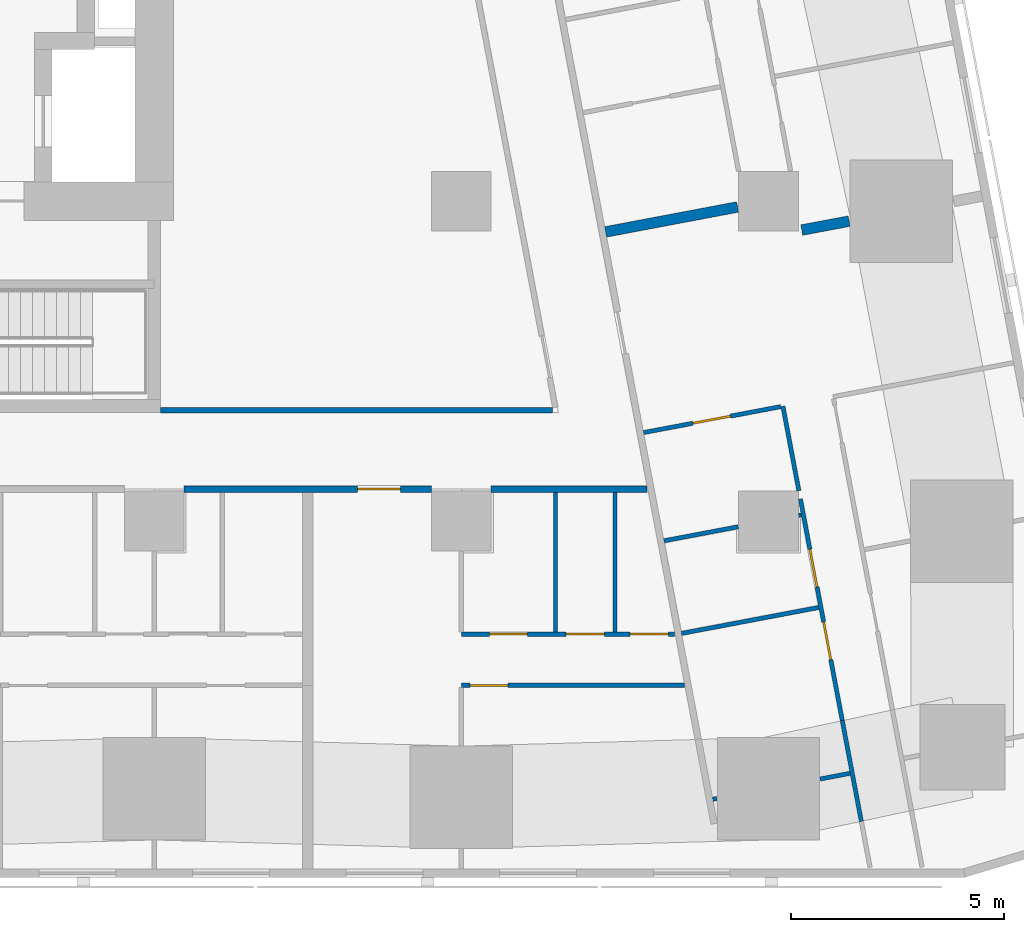
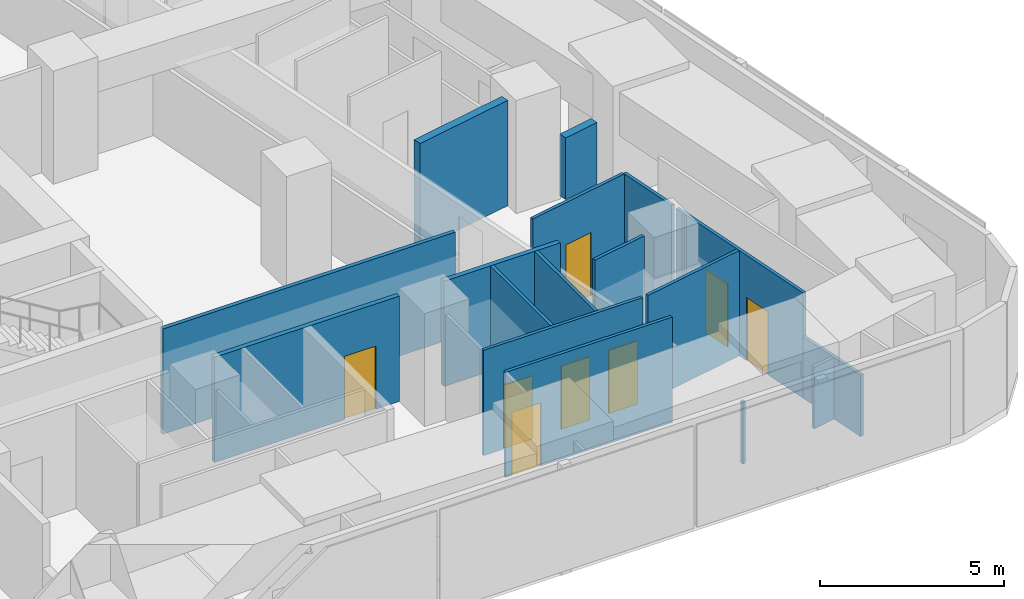
# One storey, part 3 of 10: 18 walls, 8 doors, 8 openings.
"""IFC4 building model written with IfcOpenShell, lengths in metres."""

from ifc_helpers import new_model, si_unit, direction, frame, frame_2d, origin, place, context, subcontext, project, spatial, rectangle, extrude, material, layer, layer_set, type_object, element, fill, save


model = new_model("IFC4")

# Units and contexts
model_context = context("Model", 3, precision=1e-05, world=origin(), true_north=direction((0.0, 1.0)))
body_context = subcontext(model_context, "Body", "Model", "MODEL_VIEW")
ifc_project = project(units=[si_unit("LENGTHUNIT", "METRE"), si_unit("AREAUNIT", "SQUARE_METRE"), si_unit("VOLUMEUNIT", "CUBIC_METRE"), si_unit("PLANEANGLEUNIT", "RADIAN"), si_unit("MASSUNIT", "GRAM", prefix="KILO")], contexts=[model_context])

# Site, building, storey
site_placement = place(None, origin())
site = spatial("IfcSite", under=ifc_project, at=site_placement, CompositionType="ELEMENT")
building_placement = place(site_placement, origin())
building = spatial("IfcBuilding", under=site, at=building_placement, Name="Sheger Commons Tower", CompositionType="ELEMENT")
storey_placement = place(building_placement, frame((0.0, 0.0, 238.699951171875)))
storey = spatial("IfcBuildingStorey", under=building, at=storey_placement, Name="L61", CompositionType="ELEMENT", Elevation=238.699951171875)

# Wall
ifc_material_1 = material(Name="Hollow concrete block masonry, skimmed both sides", Category="masonry")
ifc_layer_1 = layer(ifc_material_1, 0.14990234375)
ifc_layer_set_1 = layer_set([ifc_layer_1], Name="CORRIDOR WALL 150")
wall_type_1 = type_object("IfcWallType", Name="CORRIDOR WALL 150", PredefinedType="SOLIDWALL", material=ifc_layer_set_1)
wall_1_placement = place(storey_placement, frame((40.35498046875, 8.25, 0.0), z_axis=(0.0, 0.0, 1.0), x_axis=(-1.0, 0.0, 0.0)))
element("IfcWall", 1, at=wall_1_placement, inside=storey, type_object=wall_type_1, Name="Corridor wall L61", PredefinedType="SOLIDWALL", context=body_context, shape_type="SweptSolid", body=[
    extrude(rectangle(XDim=3.654052734375, YDim=0.14990234375, at=frame_2d((1.8271484375, 0.0))), origin(), (0.0, 0.0, 1.0), 3.5),
])

# Wall, opening, door
wall_2_placement = place(storey_placement, frame((35.299072265625, 8.25, 0.0), z_axis=(0.0, 0.0, 1.0), x_axis=(-1.0, 0.0, 0.0)))
wall_2 = element("IfcWall", 2, at=wall_2_placement, inside=storey, type_object=wall_type_1, Name="Corridor wall L61", PredefinedType="SOLIDWALL", context=body_context, shape_type="SweptSolid", body=[
    extrude(rectangle(XDim=5.798095703125, YDim=0.14990234375, at=frame_2d((2.89892578125, 0.0))), origin(), (0.0, 0.0, 1.0), 3.5),
])
opening_1_placement = place(wall_2_placement, frame((0.72802734375, 0.0, 0.0)))
opening_1 = element("IfcOpeningElement", 3, at=opening_1_placement, cuts=wall_2, Name="Opening D1", PredefinedType="OPENING", context=body_context, shape_type="SweptSolid", body=[
    extrude(rectangle(XDim=1.0, YDim=2.10009765625, at=frame_2d((0.5, 1.050048828125))), frame((0.0, 0.0849609375, 0.0), z_axis=(0.0, -1.0, 0.0), x_axis=(1.0, 0.0, 0.0)), (0.0, 0.0, 1.0), 0.169921875),
])
ifc_material_2 = material(Name="Steel door set, fire rated", Category="steel")
door_type_1 = type_object("IfcDoorType", Name="FLAT ENTRANCE DOOR 1000x2100", OperationType="NOTDEFINED", PredefinedType="DOOR", material=ifc_material_2)
door_1_placement = place(opening_1_placement, origin())
door_1 = element("IfcDoor", 4, at=door_1_placement, inside=storey, type_object=door_type_1, Name="Flat entrance door", OperationType="SINGLE_SWING_LEFT", OverallHeight=2.10009765625, OverallWidth=1.0, PredefinedType="DOOR", context=body_context, shape_type="SweptSolid", body=[
    extrude(rectangle(XDim=1.0, YDim=2.10009765625, at=frame_2d((0.5, 1.050048828125))), frame((0.0, 0.02490234375, 0.0), z_axis=(0.0, -1.0, 0.0), x_axis=(1.0, 0.0, 0.0)), (0.0, 0.0, 1.0), 0.050048828125),
])
fill(opening_1, door_1)

# Walls
ifc_material_3 = material(Name="Dense concrete block masonry, plastered both sides (separating wall between flats)", Category="masonry")
ifc_layer_2 = layer(ifc_material_3, 0.25)
ifc_layer_set_2 = layer_set([ifc_layer_2], Name="DEMISING WALL 250")
wall_type_2 = type_object("IfcWallType", Name="DEMISING WALL 250", PredefinedType="SOLIDWALL", material=ifc_layer_set_2)
wall_3_placement = place(storey_placement, frame((45.090087890625, 14.531005859375, 0.0), z_axis=(0.0, 0.0, 1.0), x_axis=(-0.982737354171, -0.185006196431, 0.0)))
element("IfcWall", 5, at=wall_3_placement, inside=storey, type_object=wall_type_2, Name="Demising wall L61", PredefinedType="SOLIDWALL", context=body_context, shape_type="SweptSolid", body=[
    extrude(rectangle(XDim=1.129638671875, YDim=0.25, at=frame_2d((0.56494140625, 0.0))), origin(), (0.0, 0.0, 1.0), 2.050048828125),
])
wall_4_placement = place(storey_placement, frame((42.47607421875, 14.863037109375, 0.0), z_axis=(0.0, 0.0, 1.0), x_axis=(-0.982638716117, -0.185529387398, 0.0)))
element("IfcWall", 6, at=wall_4_placement, inside=storey, type_object=wall_type_2, Name="Demising wall L61", PredefinedType="SOLIDWALL", context=body_context, shape_type="SweptSolid", body=[
    extrude(rectangle(XDim=3.147705078125, YDim=0.25, at=frame_2d((1.57373046875, 0.0))), origin(), (0.0, 0.0, 1.0), 3.5),
])

# Wall, opening, door
ifc_material_4 = material(Name="Gypsum board on steel studs", Category="steel")
ifc_layer_3 = layer(ifc_material_4, 0.10009765625)
ifc_layer_set_3 = layer_set([ifc_layer_3], Name="PARTITION 100")
wall_type_3 = type_object("IfcWallType", Name="PARTITION 100", PredefinedType="PARTITIONING", material=ifc_layer_set_3)
wall_5_placement = place(storey_placement, frame((41.22900390625, 3.64990234375, 0.0), z_axis=(0.0, 0.0, 1.0), x_axis=(-1.0, 0.0, 0.0)))
wall_5 = element("IfcWall", 7, at=wall_5_placement, inside=storey, type_object=wall_type_3, Name="Partition L61", PredefinedType="PARTITIONING", context=body_context, shape_type="SweptSolid", body=[
    extrude(rectangle(XDim=5.22900390625, YDim=0.10009765625, at=frame_2d((2.614501953125, 0.0))), origin(), (0.0, 0.0, 1.0), 3.5),
])
opening_2_placement = place(wall_5_placement, frame((4.12890625, 0.0, 0.0)))
opening_2 = element("IfcOpeningElement", 8, at=opening_2_placement, cuts=wall_5, Name="Opening D2", PredefinedType="OPENING", context=body_context, shape_type="SweptSolid", body=[
    extrude(rectangle(XDim=0.89990234375, YDim=2.10009765625, at=frame_2d((0.449951171875, 1.050048828125))), frame((0.0, 0.06005859375, 0.0), z_axis=(0.0, -1.0, 0.0), x_axis=(1.0, 0.0, 0.0)), (0.0, 0.0, 1.0), 0.1201171875),
])
ifc_material_5 = material(Name="Timber door set", Category="wood")
door_type_2 = type_object("IfcDoorType", Name="INTERNAL DOOR 900x2100", OperationType="NOTDEFINED", PredefinedType="DOOR", material=ifc_material_5)
door_2_placement = place(opening_2_placement, origin())
door_2 = element("IfcDoor", 9, at=door_2_placement, inside=storey, type_object=door_type_2, Name="Main bedroom door", OperationType="SINGLE_SWING_LEFT", OverallHeight=2.10009765625, OverallWidth=0.89990234375, PredefinedType="DOOR", context=body_context, shape_type="SweptSolid", body=[
    extrude(rectangle(XDim=0.89990234375, YDim=2.10009765625, at=frame_2d((0.449951171875, 1.050048828125))), frame((0.0, 0.02490234375, 0.0), z_axis=(0.0, -1.0, 0.0), x_axis=(1.0, 0.0, 0.0)), (0.0, 0.0, 1.0), 0.050048828125),
])
fill(opening_2, door_2)

# Wall, openings, doors
wall_6_placement = place(storey_placement, frame((41.001953125, 4.85009765625, 0.0), z_axis=(0.0, 0.0, 1.0), x_axis=(-1.0, 0.0, 0.0)))
wall_6 = element("IfcWall", 10, at=wall_6_placement, inside=storey, type_object=wall_type_3, Name="Partition L61", PredefinedType="PARTITIONING", context=body_context, shape_type="SweptSolid", body=[
    extrude(rectangle(XDim=5.001953125, YDim=0.10009765625, at=frame_2d((2.5009765625, 0.0))), origin(), (0.0, 0.0, 1.0), 3.5),
])
opening_3_placement = place(wall_6_placement, frame((3.447021484375, 0.0, 0.0)))
opening_3 = element("IfcOpeningElement", 11, at=opening_3_placement, cuts=wall_6, Name="Opening D2", PredefinedType="OPENING", context=body_context, shape_type="SweptSolid", body=[
    extrude(rectangle(XDim=0.89990234375, YDim=2.10009765625, at=frame_2d((0.449951171875, 1.050048828125))), frame((0.0, 0.06005859375, 0.0), z_axis=(0.0, -1.0, 0.0), x_axis=(1.0, 0.0, 0.0)), (0.0, 0.0, 1.0), 0.1201171875),
])
opening_4_placement = place(wall_6_placement, frame((0.14990234375, 0.0, 0.0)))
opening_4 = element("IfcOpeningElement", 12, at=opening_4_placement, cuts=wall_6, Name="Opening D2", PredefinedType="OPENING", context=body_context, shape_type="SweptSolid", body=[
    extrude(rectangle(XDim=0.89990234375, YDim=2.10009765625, at=frame_2d((0.449951171875, 1.050048828125))), frame((0.0, 0.06005859375, 0.0), z_axis=(0.0, -1.0, 0.0), x_axis=(1.0, 0.0, 0.0)), (0.0, 0.0, 1.0), 0.1201171875),
])
opening_5_placement = place(wall_6_placement, frame((1.64697265625, 0.0, 0.0)))
opening_5 = element("IfcOpeningElement", 13, at=opening_5_placement, cuts=wall_6, Name="Opening D2", PredefinedType="OPENING", context=body_context, shape_type="SweptSolid", body=[
    extrude(rectangle(XDim=0.89990234375, YDim=2.10009765625, at=frame_2d((0.449951171875, 1.050048828125))), frame((0.0, 0.06005859375, 0.0), z_axis=(0.0, -1.0, 0.0), x_axis=(1.0, 0.0, 0.0)), (0.0, 0.0, 1.0), 0.1201171875),
])
door_3_placement = place(opening_3_placement, origin())
door_3 = element("IfcDoor", 14, at=door_3_placement, inside=storey, type_object=door_type_2, Name="Bathroom door", OperationType="SINGLE_SWING_LEFT", OverallHeight=2.10009765625, OverallWidth=0.89990234375, PredefinedType="DOOR", context=body_context, shape_type="SweptSolid", body=[
    extrude(rectangle(XDim=0.89990234375, YDim=2.10009765625, at=frame_2d((0.449951171875, 1.050048828125))), frame((0.0, 0.02490234375, 0.0), z_axis=(0.0, -1.0, 0.0), x_axis=(1.0, 0.0, 0.0)), (0.0, 0.0, 1.0), 0.050048828125),
])
fill(opening_3, door_3)
door_4_placement = place(opening_4_placement, origin())
door_4 = element("IfcDoor", 15, at=door_4_placement, inside=storey, type_object=door_type_2, Name="Laundry room door", OperationType="SINGLE_SWING_RIGHT", OverallHeight=2.10009765625, OverallWidth=0.89990234375, PredefinedType="DOOR", context=body_context, shape_type="SweptSolid", body=[
    extrude(rectangle(XDim=0.89990234375, YDim=2.10009765625, at=frame_2d((0.449951171875, 1.050048828125))), frame((0.0, 0.02490234375, 0.0), z_axis=(0.0, -1.0, 0.0), x_axis=(1.0, 0.0, 0.0)), (0.0, 0.0, 1.0), 0.050048828125),
])
fill(opening_4, door_4)
door_5_placement = place(opening_5_placement, origin())
door_5 = element("IfcDoor", 16, at=door_5_placement, inside=storey, type_object=door_type_2, Name="Store door", OperationType="SINGLE_SWING_LEFT", OverallHeight=2.10009765625, OverallWidth=0.89990234375, PredefinedType="DOOR", context=body_context, shape_type="SweptSolid", body=[
    extrude(rectangle(XDim=0.89990234375, YDim=2.10009765625, at=frame_2d((0.449951171875, 1.050048828125))), frame((0.0, 0.02490234375, 0.0), z_axis=(0.0, -1.0, 0.0), x_axis=(1.0, 0.0, 0.0)), (0.0, 0.0, 1.0), 0.050048828125),
])
fill(opening_5, door_5)

# Walls
for number, where, z_axis, x_axis, name in (
    (17, (39.60009765625, 4.89990234375, 0.0), (0.0, 0.0, 1.0), (0.0, 1.0, 0.0), "Partition L61"),
    (18, (38.2099609375, 4.89990234375, 0.0), (0.0, 0.0, 1.0), (0.0, 1.0, 0.0), "Partition L61"),
):
    element("IfcWall", number, at=place(storey_placement, frame(where, z_axis=z_axis, x_axis=x_axis)), inside=storey, type_object=wall_type_3, Name=name, PredefinedType="PARTITIONING", context=body_context, shape_type="SweptSolid", body=[
        extrude(rectangle(XDim=3.275146484375, YDim=0.10009765625, at=frame_2d((1.6376953125, 0.0))), origin(), (0.0, 0.0, 1.0), 3.5),
    ])
wall_7_placement = place(storey_placement, frame((43.5390625, 10.19189453125, 0.0), z_axis=(0.0, 0.0, 1.0), x_axis=(0.185443145218, -0.982654995353, 0.0)))
element("IfcWall", 19, at=wall_7_placement, inside=storey, type_object=wall_type_3, Name="Partition L61", PredefinedType="PARTITIONING", context=body_context, shape_type="SweptSolid", body=[
    extrude(rectangle(XDim=2.016845703125, YDim=0.10009765625, at=frame_2d((1.00830078125, 0.0))), origin(), (0.0, 0.0, 1.0), 3.5),
])

# Wall, openings, doors
wall_8_placement = place(storey_placement, frame((43.948974609375, 8.02001953125, 0.0), z_axis=(0.0, 0.0, 1.0), x_axis=(0.185656792073, -0.982614652627, 0.0)))
wall_8 = element("IfcWall", 20, at=wall_8_placement, inside=storey, type_object=wall_type_3, Name="Partition L61", PredefinedType="PARTITIONING", context=body_context, shape_type="SweptSolid", body=[
    extrude(rectangle(XDim=5.2890625, YDim=0.10009765625, at=frame_2d((2.64453125, 0.0))), origin(), (0.0, 0.0, 1.0), 3.5),
])
opening_6_placement = place(wall_8_placement, frame((1.199951171875, 0.0, 0.0)))
opening_6 = element("IfcOpeningElement", 21, at=opening_6_placement, cuts=wall_8, Name="Opening D2", PredefinedType="OPENING", context=body_context, shape_type="SweptSolid", body=[
    extrude(rectangle(XDim=0.89990234375, YDim=2.10009765625, at=frame_2d((0.449951171875, 1.050048828125))), frame((0.0, 0.06005859375, 0.0), z_axis=(0.0, -1.0, 0.0), x_axis=(1.0, 0.0, 0.0)), (0.0, 0.0, 1.0), 0.1201171875),
])
opening_7_placement = place(wall_8_placement, frame((2.93505859375, 0.0, 0.0)))
opening_7 = element("IfcOpeningElement", 22, at=opening_7_placement, cuts=wall_8, Name="Opening D2", PredefinedType="OPENING", context=body_context, shape_type="SweptSolid", body=[
    extrude(rectangle(XDim=0.89990234375, YDim=2.10009765625, at=frame_2d((0.449951171875, 1.050048828125))), frame((0.0, 0.06005859375, 0.0), z_axis=(0.0, -1.0, 0.0), x_axis=(1.0, 0.0, 0.0)), (0.0, 0.0, 1.0), 0.1201171875),
])
door_6_placement = place(opening_6_placement, origin())
door_6 = element("IfcDoor", 23, at=door_6_placement, inside=storey, type_object=door_type_2, Name="Bathroom door", OperationType="SINGLE_SWING_LEFT", OverallHeight=2.10009765625, OverallWidth=0.89990234375, PredefinedType="DOOR", context=body_context, shape_type="SweptSolid", body=[
    extrude(rectangle(XDim=0.89990234375, YDim=2.10009765625, at=frame_2d((0.449951171875, 1.050048828125))), frame((0.0, 0.02490234375, 0.0), z_axis=(0.0, -1.0, 0.0), x_axis=(1.0, 0.0, 0.0)), (0.0, 0.0, 1.0), 0.050048828125),
])
fill(opening_6, door_6)
door_7_placement = place(opening_7_placement, origin())
door_7 = element("IfcDoor", 24, at=door_7_placement, inside=storey, type_object=door_type_2, Name="Store door", OperationType="SINGLE_SWING_RIGHT", OverallHeight=2.10009765625, OverallWidth=0.89990234375, PredefinedType="DOOR", context=body_context, shape_type="SweptSolid", body=[
    extrude(rectangle(XDim=0.89990234375, YDim=2.10009765625, at=frame_2d((0.449951171875, 1.050048828125))), frame((0.0, 0.02490234375, 0.0), z_axis=(0.0, -1.0, 0.0), x_axis=(1.0, 0.0, 0.0)), (0.0, 0.0, 1.0), 0.050048828125),
])
fill(opening_7, door_7)

# Wall
wall_9_placement = place(storey_placement, frame((44.930908203125, 2.822998046875, 0.0), z_axis=(0.0, 0.0, 1.0), x_axis=(0.185631845838, -0.982619365681, 0.0)))
element("IfcWall", 25, at=wall_9_placement, inside=storey, type_object=wall_type_3, Name="Partition L61", PredefinedType="PARTITIONING", context=body_context, shape_type="SweptSolid", body=[
    extrude(rectangle(XDim=2.40283203125, YDim=0.10009765625, at=frame_2d((1.201416015625, 0.0))), origin(), (0.0, 0.0, 1.0), 2.050048828125),
])

# Wall, opening, door
wall_10_placement = place(storey_placement, frame((43.489990234375, 10.18310546875, 0.0), z_axis=(0.0, 0.0, 1.0), x_axis=(-0.982607026909, -0.185697147715, 0.0)))
wall_10 = element("IfcWall", 26, at=wall_10_placement, inside=storey, type_object=wall_type_3, Name="Partition L61", PredefinedType="PARTITIONING", context=body_context, shape_type="SweptSolid", body=[
    extrude(rectangle(XDim=3.27490234375, YDim=0.10009765625, at=frame_2d((1.637451171875, 0.0))), origin(), (0.0, 0.0, 1.0), 3.5),
])
opening_8_placement = place(wall_10_placement, frame((1.199951171875, 0.0, 0.0)))
opening_8 = element("IfcOpeningElement", 27, at=opening_8_placement, cuts=wall_10, Name="Opening D2", PredefinedType="OPENING", context=body_context, shape_type="SweptSolid", body=[
    extrude(rectangle(XDim=0.89990234375, YDim=2.10009765625, at=frame_2d((0.449951171875, 1.050048828125))), frame((0.0, 0.06005859375, 0.0), z_axis=(0.0, -1.0, 0.0), x_axis=(1.0, 0.0, 0.0)), (0.0, 0.0, 1.0), 0.1201171875),
])
door_8_placement = place(opening_8_placement, origin())
door_8 = element("IfcDoor", 28, at=door_8_placement, inside=storey, type_object=door_type_2, Name="Store door", OperationType="SINGLE_SWING_RIGHT", OverallHeight=2.10009765625, OverallWidth=0.89990234375, PredefinedType="DOOR", context=body_context, shape_type="SweptSolid", body=[
    extrude(rectangle(XDim=0.89990234375, YDim=2.10009765625, at=frame_2d((0.449951171875, 1.050048828125))), frame((0.0, 0.02490234375, 0.0), z_axis=(0.0, -1.0, 0.0), x_axis=(1.0, 0.0, 0.0)), (0.0, 0.0, 1.0), 0.050048828125),
])
fill(opening_8, door_8)

# Walls
wall_11_placement = place(storey_placement, frame((43.968994140625, 7.64599609375, 0.0), z_axis=(0.0, 0.0, 1.0), x_axis=(-0.983147034646, -0.182816597351, 0.0)))
element("IfcWall", 29, at=wall_11_placement, inside=storey, type_object=wall_type_3, Name="Partition L61", PredefinedType="PARTITIONING", context=body_context, shape_type="SweptSolid", body=[
    extrude(rectangle(XDim=0.06005859375, YDim=0.10009765625, at=frame_2d((0.030029296875, 0.0))), origin(), (0.0, 0.0, 1.0), 3.5),
])
wall_12_placement = place(storey_placement, frame((42.489990234375, 7.366943359375, 0.0), z_axis=(0.0, 0.0, 1.0), x_axis=(-0.982585223885, -0.185812480215, 0.0)))
element("IfcWall", 30, at=wall_12_placement, inside=storey, type_object=wall_type_3, Name="Partition L61", PredefinedType="PARTITIONING", context=body_context, shape_type="SweptSolid", body=[
    extrude(rectangle(XDim=1.769775390625, YDim=0.10009765625, at=frame_2d((0.884765625, 0.0))), origin(), (0.0, 0.0, 1.0), 3.5),
])
wall_13_placement = place(storey_placement, frame((45.114013671875, 1.5869140625, 0.0), z_axis=(0.0, 0.0, 1.0), x_axis=(-0.982671022916, -0.185358195723, 0.0)))
element("IfcWall", 31, at=wall_13_placement, inside=storey, type_object=wall_type_3, Name="Partition L61", PredefinedType="PARTITIONING", context=body_context, shape_type="SweptSolid", body=[
    extrude(rectangle(XDim=0.716552734375, YDim=0.10009765625, at=frame_2d((0.3583984375, 0.0))), origin(), (0.0, 0.0, 1.0), 2.050048828125),
])
wall_14_placement = place(storey_placement, frame((41.989990234375, 0.9970703125, 0.0), z_axis=(0.0, 0.0, 1.0), x_axis=(-0.982382747416, -0.186880008506, 0.0)))
element("IfcWall", 32, at=wall_14_placement, inside=storey, type_object=wall_type_3, Name="Partition L61", PredefinedType="PARTITIONING", context=body_context, shape_type="SweptSolid", body=[
    extrude(rectangle(XDim=0.0966796875, YDim=0.10009765625, at=frame_2d((0.04833984375, 0.0))), origin(), (0.0, 0.0, 1.0), 2.050048828125),
])
wall_15_placement = place(storey_placement, frame((44.37890625, 5.47412109375, 0.0), z_axis=(0.0, 0.0, 1.0), x_axis=(-0.982607026909, -0.185697147715, 0.0)))
element("IfcWall", 33, at=wall_15_placement, inside=storey, type_object=wall_type_3, Name="Partition L61", PredefinedType="PARTITIONING", context=body_context, shape_type="SweptSolid", body=[
    extrude(rectangle(XDim=3.27490234375, YDim=0.10009765625, at=frame_2d((1.637451171875, 0.0))), origin(), (0.0, 0.0, 1.0), 3.5),
])
ifc_material_6 = material(Name="Gypsum board on steel studs, two layers each side, fire rated", Category="steel")
ifc_layer_4 = layer(ifc_material_6, 0.125)
ifc_layer_set_4 = layer_set([ifc_layer_4], Name="SERVICE WALL 125")
wall_type_4 = type_object("IfcWallType", Name="SERVICE WALL 125", PredefinedType="PARTITIONING", material=ifc_layer_set_4)
wall_16_placement = place(storey_placement, frame((28.949951171875, 10.10009765625, 0.0), z_axis=(0.0, 0.0, 1.0), x_axis=(1.0, 0.0, 0.0)))
element("IfcWall", 34, at=wall_16_placement, inside=storey, type_object=wall_type_4, Name="Service room wall L61", PredefinedType="PARTITIONING", context=body_context, shape_type="SweptSolid", body=[
    extrude(rectangle(XDim=9.18798828125, YDim=0.125, at=frame_2d((4.593994140625, 0.0))), origin(), (0.0, 0.0, 1.0), 3.5),
])

save(model, "model.ifc")
